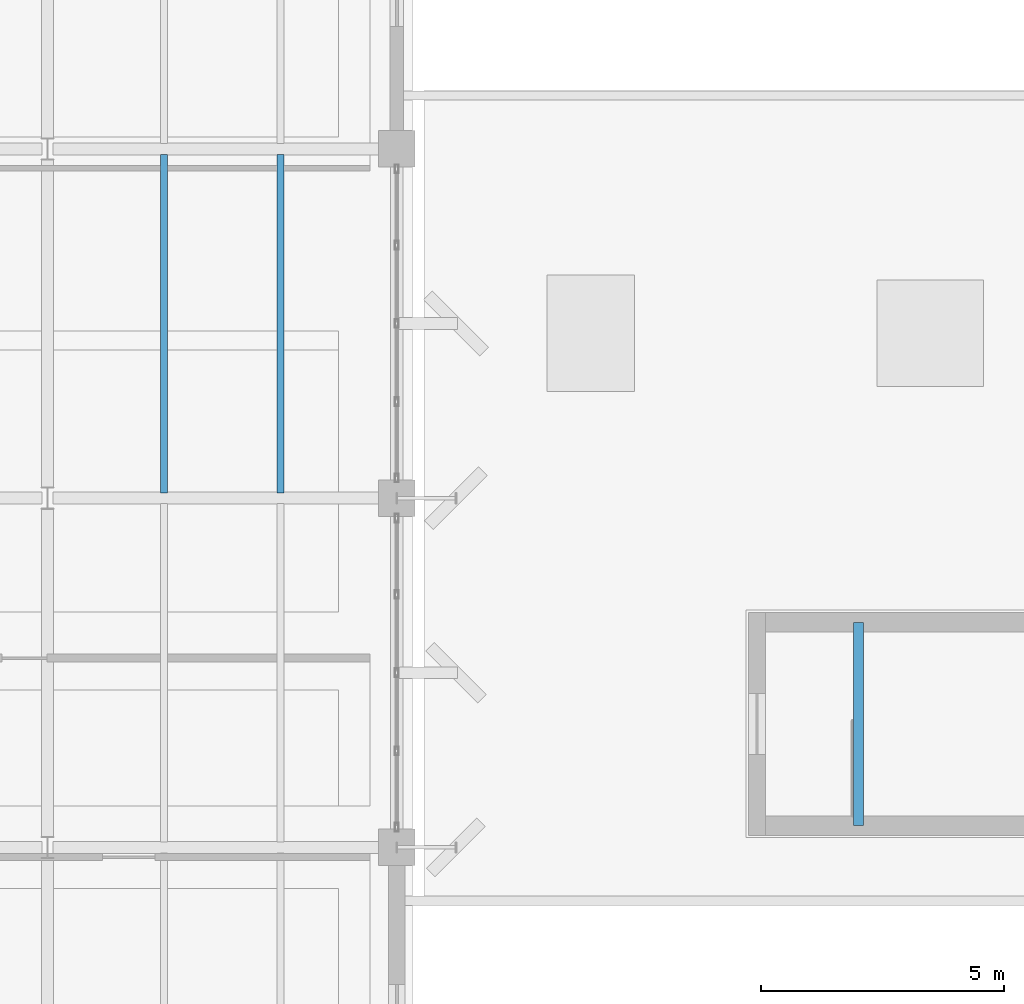
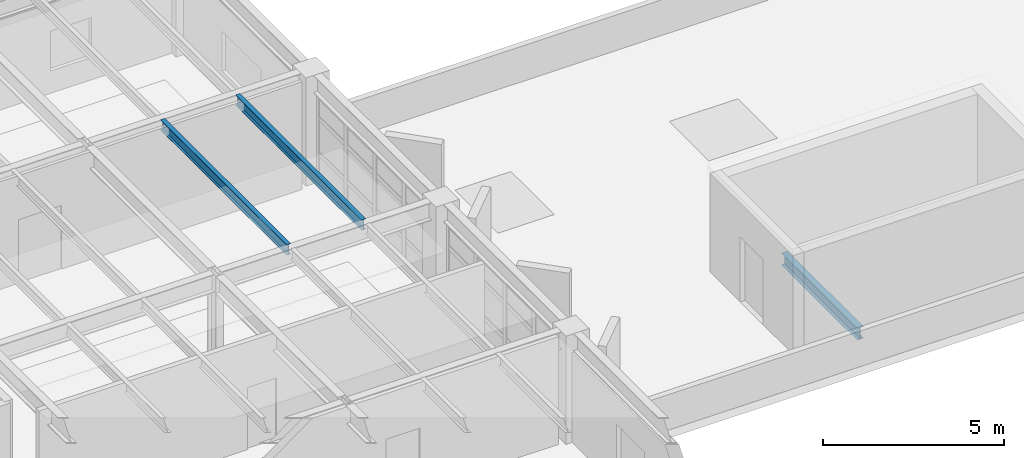
# One storey, part 13 of 32: 3 beams.
"""IFC4 building model written with IfcOpenShell, lengths in metres."""

from ifc_helpers import new_model, si_unit, direction, frame, origin, origin_2d, place, context, subcontext, project, spatial, i_section, extrude, material, material_profile, profile_set, type_object, element, save


model = new_model("IFC4")

# Units and contexts
model_context = context("Model", 3, precision=1e-05, world=origin(), true_north=direction((0.0, 1.0)))
body_context = subcontext(model_context, "Body", "Model", "MODEL_VIEW")
ifc_project = project(units=[si_unit("LENGTHUNIT", "METRE"), si_unit("AREAUNIT", "SQUARE_METRE"), si_unit("VOLUMEUNIT", "CUBIC_METRE"), si_unit("PLANEANGLEUNIT", "RADIAN"), si_unit("MASSUNIT", "GRAM", prefix="KILO")], contexts=[model_context])

# Site, building, storey
site_placement = place(None, origin())
site = spatial("IfcSite", under=ifc_project, at=site_placement, CompositionType="ELEMENT")
building_placement = place(site_placement, origin())
building = spatial("IfcBuilding", under=site, at=building_placement, Name="Kandorven Conservatory and Botanical Research Centre", CompositionType="ELEMENT")
storey_placement = place(building_placement, frame((0.0, 0.0, 17.10009765625)))
storey = spatial("IfcBuildingStorey", under=building, at=storey_placement, Name="L04", CompositionType="ELEMENT", Elevation=17.10009765625)

# Beams
ifc_material_1 = material(Name="Steel S355 (IS 2062 E350)", Category="steel")
ifc_material_profile_1 = material_profile(ifc_material_1, i_section(OverallWidth=0.199951171875, OverallDepth=0.39990234375, WebThickness=0.008544921875, FlangeThickness=0.012939453125, at=origin_2d()))
ifc_profile_set_1 = profile_set([ifc_material_profile_1], Name="Steel S355 (IS 2062 E350)")
beam_type_1 = type_object("IfcBeamType", Name="Beam_FG-03", PredefinedType="USERDEFINED", material=ifc_profile_set_1)
beam_placement = place(storey_placement, frame((51.52001953125, 13.64990234375, -0.2001953125), z_axis=(0.0, 1.0, 0.0), x_axis=(-1.0, 0.0, 0.0)))
element("IfcBeam", 1, at=beam_placement, inside=storey, type_object=beam_type_1, Name="Stair well bottom trimmer girder FG-03 ST-V3A L04", ObjectType="GIRDER", PredefinedType="USERDEFINED", context=body_context, shape_type="SweptSolid", body=[
    extrude(i_section(OverallWidth=0.199951171875, OverallDepth=0.39990234375, WebThickness=0.008544921875, FlangeThickness=0.012939453125, at=origin_2d()), origin(), (0.0, 0.0, 1.0), 4.190185546875),
])
ifc_material_2 = material(Name="Steel S355 (IS 2062 E350)", Category="steel")
ifc_material_profile_2 = material_profile(ifc_material_2, i_section(OverallWidth=0.139892578125, OverallDepth=0.35009765625, WebThickness=0.008056640625, FlangeThickness=0.01416015625, at=origin_2d()))
ifc_profile_set_2 = profile_set([ifc_material_profile_2], Name="Steel S355 (IS 2062 E350)")
beam_type_2 = type_object("IfcBeamType", Name="Beam_SB-06", PredefinedType="BEAM", material=ifc_profile_set_2)
for number, where, z_axis, x_axis, name in (
    (2, (37.199951171875, 20.510009765625, 3.48486328125), (0.0, 1.0, 0.0), (-1.0, 0.0, 0.0), "Composite secondary beam SB-06 TWR L04"),
    (3, (39.60009765625, 20.510009765625, 3.48486328125), (0.0, 1.0, 0.0), (-1.0, 0.0, 0.0), "Composite secondary beam SB-06 TWR L04"),
):
    element("IfcBeam", number, at=place(storey_placement, frame(where, z_axis=z_axis, x_axis=x_axis)), inside=storey, type_object=beam_type_2, Name=name, PredefinedType="BEAM", context=body_context, shape_type="SweptSolid", body=[
        extrude(i_section(OverallWidth=0.139892578125, OverallDepth=0.35009765625, WebThickness=0.008056640625, FlangeThickness=0.01416015625, at=origin_2d()), origin(), (0.0, 0.0, 1.0), 6.97998046875),
    ])

save(model, "model.ifc")
